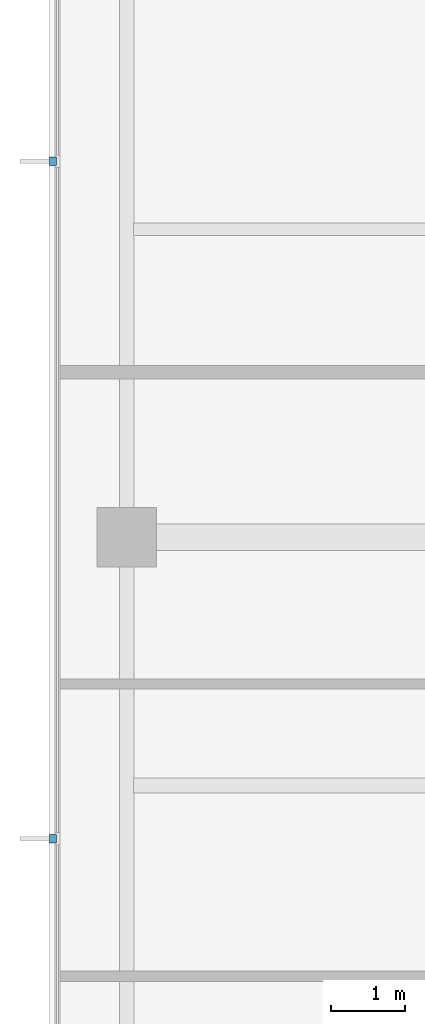
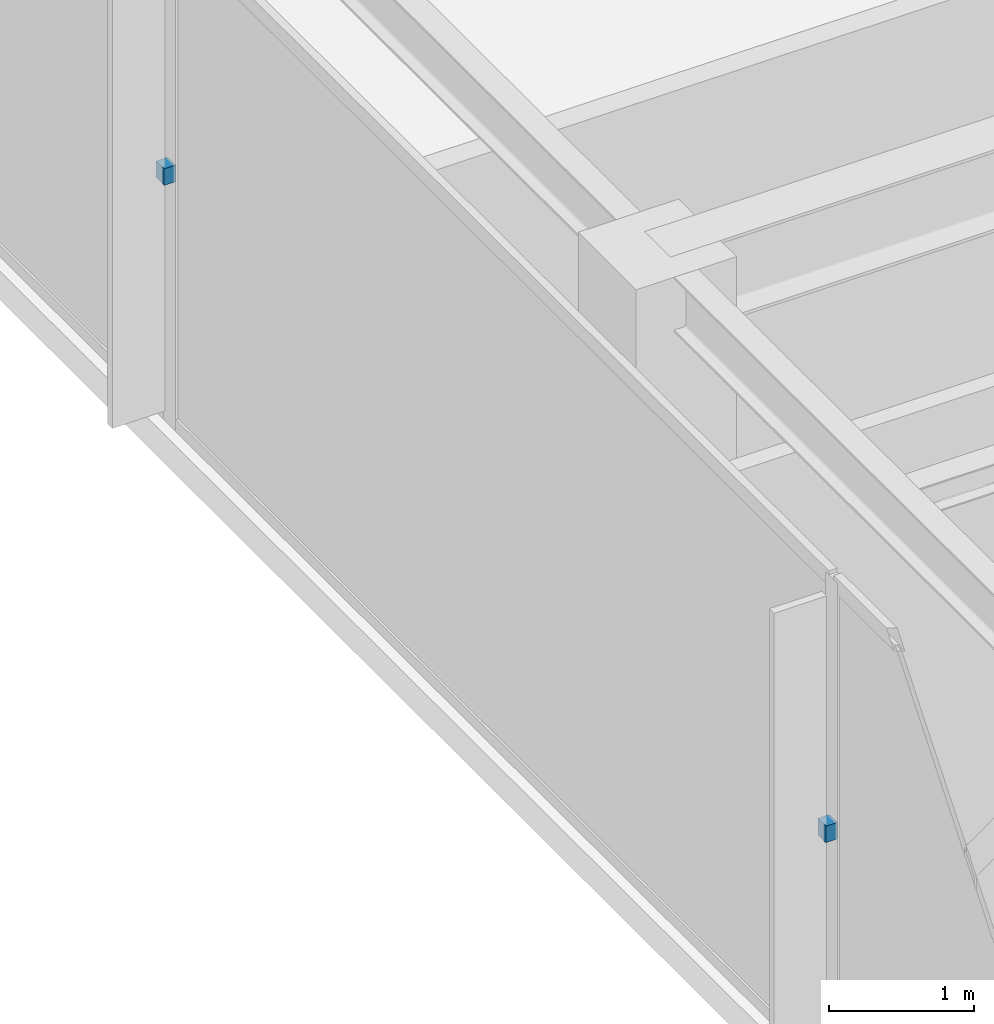
# One storey, part 9 of 11: 2 discrete accessories.
"""IFC4 building model written with IfcOpenShell, lengths in metres."""

import ifcopenshell
import ifcopenshell.guid

model = None  # the IFC model being written
_history = None  # IfcOwnerHistory: only IFC2X3 demands one
_inside = {}  # id of a spatial element -> (the spatial element, [elements in it])
_under = {}  # id of a project, library or spatial element -> (it, [spatial elements below it])
_declared = {}  # id of a project -> (the project, [libraries it declares])
_typed = {}  # id of a type object -> (the type object, [elements of that type])
_made_of = {}  # id of a material, layer set ... -> (it, [elements and type objects made of it])


def new_model(schema):
    """Start an empty IFC model of exactly this schema.

    Asked for "IFC4X3", IfcOpenShell would pick the latest addendum, in which some entities
    have other attributes; the version numbers below select the first issue.
    IFC2X3 requires an IfcOwnerHistory on every rooted entity: one is made here for all.
    """
    global model, _history
    if schema == "IFC4X3":
        model = ifcopenshell.file(schema_version=(4, 3, 0, 0))
    else:
        model = ifcopenshell.file(schema=schema)
    _inside.clear()
    _under.clear()
    _declared.clear()
    _typed.clear()
    _made_of.clear()
    _history = None
    if model.schema == "IFC2X3":
        org = make("IfcOrganization", Name="unknown")
        user = make(
            "IfcPersonAndOrganization",
            ThePerson=make("IfcPerson", FamilyName="unknown"),
            TheOrganization=org,
        )
        app = make(
            "IfcApplication",
            ApplicationDeveloper=org,
            Version="unknown",
            ApplicationFullName="unknown",
            ApplicationIdentifier="unknown",
        )
        _history = make(
            "IfcOwnerHistory",
            OwningUser=user,
            OwningApplication=app,
            ChangeAction="ADDED",
            CreationDate=0,
        )
    return model


def make(cls, **values):
    """One entity of the class cls with the attributes given. An attribute that is None is left unset."""
    return model.create_entity(
        cls, **{name: value for name, value in values.items() if value is not None}
    )


def rooted(cls, **values):
    """An entity with a GlobalId (a new one), such as an element, a storey or a relation."""
    return make(cls, GlobalId=ifcopenshell.guid.new(), OwnerHistory=_history, **values)


def si_unit(unit_type, name, prefix=None):
    """IfcSIUnit, for example si_unit("LENGTHUNIT", "METRE", prefix="MILLI")."""
    return make("IfcSIUnit", UnitType=unit_type, Prefix=prefix, Name=name)


def assignment(units):
    """IfcUnitAssignment: the units of a project."""
    return None if units is None else make("IfcUnitAssignment", Units=units)


def point(xyz):
    """IfcCartesianPoint."""
    return None if xyz is None else make("IfcCartesianPoint", Coordinates=xyz)


def direction(xyz):
    """IfcDirection."""
    return None if xyz is None else make("IfcDirection", DirectionRatios=xyz)


def frame(location, z_axis=None, x_axis=None):
    """IfcAxis2Placement3D, a coordinate frame: its origin and axes. An axis left out is left unset."""
    return make(
        "IfcAxis2Placement3D",
        Location=point(location),
        Axis=direction(z_axis),
        RefDirection=direction(x_axis),
    )


def origin():
    """The frame at (0, 0, 0) with its axes left unset."""
    return frame((0.0, 0.0, 0.0))


def place(relative_to, where):
    """IfcLocalPlacement: puts the frame where relative to a parent placement (None: the world)."""
    return make(
        "IfcLocalPlacement", PlacementRelTo=relative_to, RelativePlacement=where
    )


def context(
    kind, dimensions, precision=None, world=None, true_north=None, identifier=None
):
    """IfcGeometricRepresentationContext, for example the 3D "Model" context."""
    return make(
        "IfcGeometricRepresentationContext",
        ContextIdentifier=identifier,
        ContextType=kind,
        CoordinateSpaceDimension=dimensions,
        Precision=precision,
        WorldCoordinateSystem=world,
        TrueNorth=true_north,
    )


def subcontext(parent, identifier, kind, view, scale=None):
    """IfcGeometricRepresentationSubContext, for example "Body" below "Model"."""
    return make(
        "IfcGeometricRepresentationSubContext",
        ContextIdentifier=identifier,
        ContextType=kind,
        ParentContext=parent,
        TargetScale=scale,
        TargetView=view,
    )


def project(units=None, contexts=None):
    """IfcProject with its units and contexts."""
    return rooted(
        "IfcProject",
        Name="project",
        RepresentationContexts=contexts,
        UnitsInContext=assignment(units),
    )


def spatial(cls, under=None, at=None, **own):
    """A site, building, storey or space (cls), placed at a placement, below another one or the project."""
    s = rooted(cls, ObjectPlacement=at, **own)
    if under is not None:
        _under.setdefault(under.id(), (under, []))[1].append(s)
    return s


def polyline(points):
    """IfcPolyline through the points."""
    return make("IfcPolyline", Points=[point(p) for p in points])


def outline(outer, holes=None, kind="AREA"):
    """IfcArbitraryClosedProfileDef: a profile drawn as a closed curve; with holes, ...WithVoids."""
    if holes is None:
        return make("IfcArbitraryClosedProfileDef", ProfileType=kind, OuterCurve=outer)
    return make(
        "IfcArbitraryProfileDefWithVoids",
        ProfileType=kind,
        OuterCurve=outer,
        InnerCurves=holes,
    )


def extrude(swept, where, along, depth):
    """IfcExtrudedAreaSolid: the profile swept, set in the frame where, extruded along a direction by depth."""
    return make(
        "IfcExtrudedAreaSolid",
        SweptArea=swept,
        Position=where,
        ExtrudedDirection=direction(along),
        Depth=depth,
    )


def shape(context_of_items, identifier, shape_type, items):
    """IfcShapeRepresentation: the items that make up one representation, for example the "Body"."""
    return make(
        "IfcShapeRepresentation",
        ContextOfItems=context_of_items,
        RepresentationIdentifier=identifier,
        RepresentationType=shape_type,
        Items=items,
    )


def material(Name=None, Category=None):
    """IfcMaterial."""
    return make("IfcMaterial", Name=Name, Category=Category)


def made_of(thing, what):
    """Note that an element or type object is made of a material, layer set ...; save() writes the relation."""
    if what is not None:
        _made_of.setdefault(what.id(), (what, []))[1].append(thing)
    return thing


def type_object(cls, material=None, **own):
    """A type object (cls), such as IfcWallType, which elements share."""
    return made_of(rooted(cls, **own), material)


def element(
    cls,
    number,
    at=None,
    inside=None,
    cuts=None,
    type_object=None,
    material=None,
    context=None,
    identifier="Body",
    shape_type=None,
    held_by="IfcProductDefinitionShape",
    body=None,
    shapes=None,
    **own,
):
    """One element of the class cls, such as IfcWall. Its Tag is "e" and its number.

    at: its placement. inside: the storey or other place that contains it. cuts: it is an
    opening in that element (IfcRelVoidsElement). A single representation is given by context,
    identifier, shape_type and body (its items); several are given by shapes. held_by: the class
    of the entity that holds the representations. save() writes the other relations.
    """
    e = rooted(cls, Tag="e%d" % number, ObjectPlacement=at, **own)
    if body is not None:
        shapes = [shape(context, identifier, shape_type, body)]
    if shapes is not None:
        e.Representation = make(held_by, Representations=shapes)
    if inside is not None:
        _inside.setdefault(inside.id(), (inside, []))[1].append(e)
    if cuts is not None:
        rooted(
            "IfcRelVoidsElement", RelatingBuildingElement=cuts, RelatedOpeningElement=e
        )
    if type_object is not None:
        _typed.setdefault(type_object.id(), (type_object, []))[1].append(e)
    return made_of(e, material)


def aggregate(whole, parts):
    """IfcRelAggregates: a whole, such as a stair, and the parts it consists of."""
    return rooted("IfcRelAggregates", RelatingObject=whole, RelatedObjects=parts)


def save(model, path):
    """Write the relations noted so far, then the file.

    IfcRelAggregates (storeys below a building ...), IfcRelContainedInSpatialStructure (elements
    in a storey), IfcRelDefinesByType, IfcRelAssociatesMaterial and IfcRelDeclares: one each for
    every whole, place, type object, material and project.
    """
    for whole, parts in _under.values():
        aggregate(whole, parts)
    for where, things in _inside.values():
        rooted(
            "IfcRelContainedInSpatialStructure",
            RelatedElements=things,
            RelatingStructure=where,
        )
    for kind, things in _typed.values():
        rooted("IfcRelDefinesByType", RelatedObjects=things, RelatingType=kind)
    for what, things in _made_of.values():
        rooted("IfcRelAssociatesMaterial", RelatedObjects=things, RelatingMaterial=what)
    for by, libraries in _declared.values():
        rooted("IfcRelDeclares", RelatingContext=by, RelatedDefinitions=libraries)
    model.write(path)


model = new_model("IFC4")

# Units and contexts
model_context = context("Model", 3, precision=1e-05, world=origin(), true_north=direction((0.0, 1.0)))
body_context = subcontext(model_context, "Body", "Model", "MODEL_VIEW")
ifc_project = project(units=[si_unit("LENGTHUNIT", "METRE"), si_unit("AREAUNIT", "SQUARE_METRE"), si_unit("VOLUMEUNIT", "CUBIC_METRE"), si_unit("PLANEANGLEUNIT", "RADIAN"), si_unit("MASSUNIT", "GRAM", prefix="KILO")], contexts=[model_context])

# Site, building, storey
site_placement = place(None, origin())
site = spatial("IfcSite", under=ifc_project, at=site_placement, CompositionType="ELEMENT")
building_placement = place(site_placement, origin())
building = spatial("IfcBuilding", under=site, at=building_placement, Name="Qalmaran Belvedere Hotel", CompositionType="ELEMENT")
storey_placement = place(building_placement, frame((0.0, 0.0, 285.39990234375)))
storey = spatial("IfcBuildingStorey", under=building, at=storey_placement, Name="L74", CompositionType="ELEMENT", Elevation=285.39990234375)

# Discrete accessories
ifc_material = material(Name="Stainless Steel 1.4401", Category="steel")
discrete_accessory_type = type_object("IfcDiscreteAccessoryType", Name="BRK-FIN-SS316", PredefinedType="BRACKET", material=ifc_material)
discrete_accessory_1_placement = place(storey_placement, frame((0.0, 0.0, 2.080078125)))
element("IfcDiscreteAccessory", 1, at=discrete_accessory_1_placement, inside=storey, type_object=discrete_accessory_type, Name="L74 Fin Bracket 1", PredefinedType="BRACKET", context=body_context, shape_type="SweptSolid", body=[
    extrude(outline(polyline([(11.455078125, 25.62158203125), (11.362548828125, 25.62158203125), (11.362548828125, 25.51171875), (11.455078125, 25.51171875), (11.455078125, 25.62158203125)])), origin(), (0.0, 0.0, 1.0), 0.14013671875),
])
discrete_accessory_2_placement = place(storey_placement, frame((0.0, 0.0, 2.080078125)))
element("IfcDiscreteAccessory", 2, at=discrete_accessory_2_placement, inside=storey, type_object=discrete_accessory_type, Name="L74 Fin Bracket 2", PredefinedType="BRACKET", context=body_context, shape_type="SweptSolid", body=[
    extrude(outline(polyline([(11.455078125, 16.48828125), (11.362548828125, 16.48828125), (11.362548828125, 16.37841796875), (11.455078125, 16.37841796875), (11.455078125, 16.48828125)])), origin(), (0.0, 0.0, 1.0), 0.14013671875),
])

save(model, "model.ifc")
